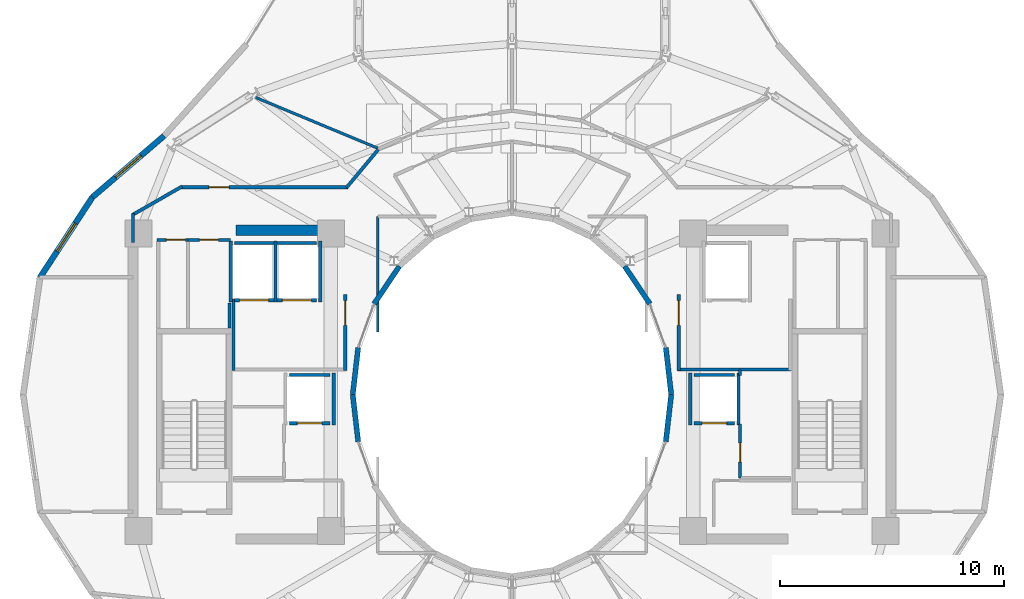
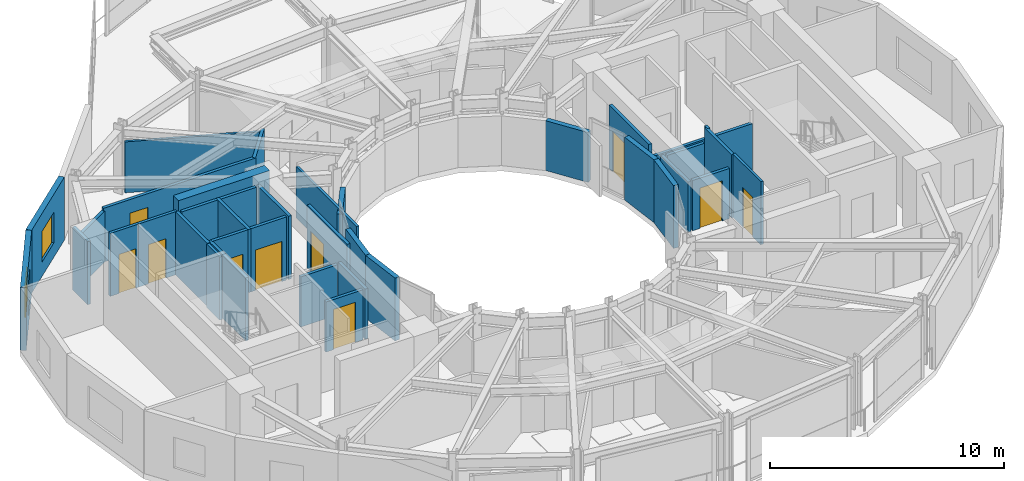
# One storey, part 19 of 24: 38 walls, 10 doors, 2 windows, 12 openings.
"""IFC4 building model written with IfcOpenShell, lengths in metres."""

from ifc_helpers import new_model, si_unit, direction, frame, frame_2d, origin, place, context, subcontext, project, spatial, rectangle, extrude, material, layer, layer_set, type_object, element, fill, save


model = new_model("IFC4")

# Units and contexts
model_context = context("Model", 3, precision=1e-05, world=origin(), true_north=direction((0.0, 1.0)))
body_context = subcontext(model_context, "Body", "Model", "MODEL_VIEW")
ifc_project = project(units=[si_unit("LENGTHUNIT", "METRE"), si_unit("AREAUNIT", "SQUARE_METRE"), si_unit("VOLUMEUNIT", "CUBIC_METRE"), si_unit("PLANEANGLEUNIT", "RADIAN"), si_unit("MASSUNIT", "GRAM", prefix="KILO")], contexts=[model_context])

# Site, building, storey
site_placement = place(None, origin())
site = spatial("IfcSite", under=ifc_project, at=site_placement, CompositionType="ELEMENT")
building_placement = place(site_placement, origin())
building = spatial("IfcBuilding", under=site, at=building_placement, Name="Solvane Sanctuary Tower", CompositionType="ELEMENT")
storey_placement = place(building_placement, frame((0.0, 0.0, 246.0)))
storey = spatial("IfcBuildingStorey", under=building, at=storey_placement, Name="L75", CompositionType="ELEMENT", Elevation=246.0)

# Walls
ifc_material_1 = material(Name="Concrete C50/60", Category="concrete")
ifc_layer_1 = layer(ifc_material_1, 0.449951171875, Name="Concrete C50/60")
ifc_layer_set_1 = layer_set([ifc_layer_1], Name="Concrete C50/60")
wall_type_1 = type_object("IfcWallType", Name="Wall W-CORE-450", PredefinedType="SHEAR", material=ifc_layer_set_1)
wall_1_placement = place(storey_placement, frame((19.64990234375, 30.35009765625, 0.0), z_axis=(0.0, 0.0, 1.0), x_axis=(1.0, 0.0, 0.0)))
element("IfcWall", 1, at=wall_1_placement, inside=storey, type_object=wall_type_1, Name="L75 Core Shear Wall WC-N", PredefinedType="SHEAR", context=body_context, shape_type="SweptSolid", body=[
    extrude(rectangle(XDim=4.5, YDim=0.449951171875, at=frame_2d((2.25, 0.0))), origin(), (0.0, 0.0, 1.0), 3.60009765625),
])
ifc_material_2 = material(Name="Acoustic Gypsum Partition Board")
ifc_layer_2 = layer(ifc_material_2, 0.14990234375, Name="Acoustic Gypsum Partition Board")
ifc_layer_set_2 = layer_set([ifc_layer_2], Name="Acoustic Gypsum Partition Board")
wall_type_2 = type_object("IfcWallType", Name="Wall W-CORR-150", PredefinedType="PARTITIONING", material=ifc_layer_set_2)
wall_2_placement = place(storey_placement, frame((19.550048828125, 24.080078125, 0.0), z_axis=(0.0, 0.0, 1.0), x_axis=(0.0, 1.0, 0.0)))
element("IfcWall", 2, at=wall_2_placement, inside=storey, type_object=wall_type_2, Name="L75 West Firefighting Lobby West Wall", PredefinedType="PARTITIONING", context=body_context, shape_type="SweptSolid", body=[
    extrude(rectangle(XDim=3.199951171875, YDim=0.14990234375, at=frame_2d((1.60009765625, 0.0))), origin(), (0.0, 0.0, 1.0), 3.294921875),
])

# Wall, opening, door
wall_3_placement = place(storey_placement, frame((24.550048828125, 24.080078125, 0.0), z_axis=(0.0, 0.0, 1.0), x_axis=(0.0, 1.0, 0.0)))
wall_3 = element("IfcWall", 3, at=wall_3_placement, inside=storey, type_object=wall_type_2, Name="L75 West Firefighting Lobby East Wall", PredefinedType="PARTITIONING", context=body_context, shape_type="SweptSolid", body=[
    extrude(rectangle(XDim=3.39990234375, YDim=0.14990234375, at=frame_2d((1.699951171875, 0.0))), origin(), (0.0, 0.0, 1.0), 3.294921875),
])
opening_1_placement = place(wall_3_placement, frame((2.02001953125, 0.0, 0.0)))
opening_1 = element("IfcOpeningElement", 4, at=opening_1_placement, cuts=wall_3, Name="Opening D-L75-03", PredefinedType="OPENING", context=body_context, shape_type="SweptSolid", body=[
    extrude(rectangle(XDim=1.10009765625, YDim=2.10009765625, at=frame_2d((0.550048828125, 1.050048828125))), frame((0.0, 0.0849609375, 0.0), z_axis=(0.0, -1.0, 0.0), x_axis=(1.0, 0.0, 0.0)), (0.0, 0.0, 1.0), 0.169921875),
])
ifc_material_3 = material(Name="Architectural Stainless Steel 316", Category="steel")
door_type_1 = type_object("IfcDoorType", Name="Door D-FFL", OperationType="NOTDEFINED", PredefinedType="DOOR", material=ifc_material_3)
door_1_placement = place(opening_1_placement, origin())
door_1 = element("IfcDoor", 5, at=door_1_placement, inside=storey, type_object=door_type_1, Name="L75 West Firefighting Lobby Fire Door", OperationType="SINGLE_SWING_RIGHT", OverallHeight=2.10009765625, OverallWidth=1.10009765625, PredefinedType="DOOR", context=body_context, shape_type="SweptSolid", body=[
    extrude(rectangle(XDim=1.10009765625, YDim=2.10009765625, at=frame_2d((0.550048828125, 1.050048828125))), frame((0.0, 0.02490234375, 0.0), z_axis=(0.0, -1.0, 0.0), x_axis=(1.0, 0.0, 0.0)), (0.0, 0.0, 1.0), 0.050048828125),
])
fill(opening_1, door_1)

# Wall
wall_4_placement = place(storey_placement, frame((39.39990234375, 24.1201171875, 0.0), z_axis=(0.0, 0.0, 1.0), x_axis=(1.0, 0.0, 0.0)))
element("IfcWall", 6, at=wall_4_placement, inside=storey, type_object=wall_type_2, Name="L75 East Firefighting Lobby South Wall", PredefinedType="PARTITIONING", context=body_context, shape_type="SweptSolid", body=[
    extrude(rectangle(XDim=5.080078125, YDim=0.14990234375, at=frame_2d((2.5400390625, 0.0))), origin(), (0.0, 0.0, 1.0), 2.6201171875),
])

# Wall, opening, door
wall_5_placement = place(storey_placement, frame((39.449951171875, 24.080078125, 0.0), z_axis=(0.0, 0.0, 1.0), x_axis=(0.0, 1.0, 0.0)))
wall_5 = element("IfcWall", 7, at=wall_5_placement, inside=storey, type_object=wall_type_2, Name="L75 East Firefighting Lobby West Wall", PredefinedType="PARTITIONING", context=body_context, shape_type="SweptSolid", body=[
    extrude(rectangle(XDim=3.39990234375, YDim=0.14990234375, at=frame_2d((1.699951171875, 0.0))), origin(), (0.0, 0.0, 1.0), 3.294921875),
])
opening_2_placement = place(wall_5_placement, frame((2.02001953125, 0.0, 0.0)))
opening_2 = element("IfcOpeningElement", 8, at=opening_2_placement, cuts=wall_5, Name="Opening D-L75-04", PredefinedType="OPENING", context=body_context, shape_type="SweptSolid", body=[
    extrude(rectangle(XDim=1.10009765625, YDim=2.10009765625, at=frame_2d((0.550048828125, 1.050048828125))), frame((0.0, 0.0849609375, 0.0), z_axis=(0.0, -1.0, 0.0), x_axis=(1.0, 0.0, 0.0)), (0.0, 0.0, 1.0), 0.169921875),
])
door_2_placement = place(opening_2_placement, origin())
door_2 = element("IfcDoor", 9, at=door_2_placement, inside=storey, type_object=door_type_1, Name="L75 East Firefighting Lobby Fire Door", OperationType="SINGLE_SWING_LEFT", OverallHeight=2.10009765625, OverallWidth=1.10009765625, PredefinedType="DOOR", context=body_context, shape_type="SweptSolid", body=[
    extrude(rectangle(XDim=1.10009765625, YDim=2.10009765625, at=frame_2d((0.550048828125, 1.050048828125))), frame((0.0, 0.02490234375, 0.0), z_axis=(0.0, -1.0, 0.0), x_axis=(1.0, 0.0, 0.0)), (0.0, 0.0, 1.0), 0.050048828125),
])
fill(opening_2, door_2)

# Walls
wall_6_placement = place(storey_placement, frame((15.050048828125, 29.800048828125, 0.0), z_axis=(0.0, 0.0, 1.0), x_axis=(0.0, 1.0, 0.0)))
element("IfcWall", 10, at=wall_6_placement, inside=storey, type_object=wall_type_2, Name="L75 NW Corner Closer 1", PredefinedType="PARTITIONING", context=body_context, shape_type="SweptSolid", body=[
    extrude(rectangle(XDim=1.2900390625, YDim=0.14990234375, at=frame_2d((0.64501953125, 0.0))), origin(), (0.0, 0.0, 1.0), 3.294921875),
])
wall_7_placement = place(storey_placement, frame((26.015869140625, 33.95458984375, 0.0), z_axis=(0.0, 0.0, 1.0), x_axis=(-0.64030392053, -0.76812166312, 0.0)))
element("IfcWall", 11, at=wall_7_placement, inside=storey, type_object=wall_type_2, Name="L75 NW Corner Throat Wall", PredefinedType="PARTITIONING", context=body_context, shape_type="SweptSolid", body=[
    extrude(rectangle(XDim=2.2099609375, YDim=0.14990234375, at=frame_2d((1.10498046875, 0.0))), origin(), (0.0, 0.0, 1.0), 2.81591796875),
])

# Wall, opening, door
wall_8_placement = place(storey_placement, frame((17.14990234375, 32.280029296875, 0.0), z_axis=(0.0, 0.0, 1.0), x_axis=(1.0, 0.0, 0.0)))
wall_8 = element("IfcWall", 12, at=wall_8_placement, inside=storey, type_object=wall_type_2, Name="L75 NW Corner Corridor Wall", PredefinedType="PARTITIONING", context=body_context, shape_type="SweptSolid", body=[
    extrude(rectangle(XDim=7.52001953125, YDim=0.14990234375, at=frame_2d((3.760009765625, 0.0))), origin(), (0.0, 0.0, 1.0), 2.81591796875),
])
opening_3_placement = place(wall_8_placement, frame((1.300048828125, 0.0, 0.0)))
opening_3 = element("IfcOpeningElement", 13, at=opening_3_placement, cuts=wall_8, Name="Opening D-L75-20", PredefinedType="OPENING", context=body_context, shape_type="SweptSolid", body=[
    extrude(rectangle(XDim=0.89990234375, YDim=2.10009765625, at=frame_2d((0.449951171875, 1.050048828125))), frame((0.0, 0.0849609375, 0.0), z_axis=(0.0, -1.0, 0.0), x_axis=(1.0, 0.0, 0.0)), (0.0, 0.0, 1.0), 0.169921875),
])
ifc_material_4 = material(Name="Engineered Tropical Hardwood", Category="wood")
door_type_2 = type_object("IfcDoorType", Name="Door D-WET-900", OperationType="NOTDEFINED", PredefinedType="DOOR", material=ifc_material_4)
door_3_placement = place(opening_3_placement, origin())
door_3 = element("IfcDoor", 14, at=door_3_placement, inside=storey, type_object=door_type_2, Name="L75 NW Corner Salon Door", OperationType="SINGLE_SWING_LEFT", OverallHeight=2.10009765625, OverallWidth=0.89990234375, PredefinedType="DOOR", context=body_context, shape_type="SweptSolid", body=[
    extrude(rectangle(XDim=0.89990234375, YDim=2.10009765625, at=frame_2d((0.449951171875, 1.050048828125))), frame((0.0, 0.02490234375, 0.0), z_axis=(0.0, -1.0, 0.0), x_axis=(1.0, 0.0, 0.0)), (0.0, 0.0, 1.0), 0.050048828125),
])
fill(opening_3, door_3)

# Wall
wall_9_placement = place(storey_placement, frame((17.243408203125, 32.3046875, 0.0), z_axis=(0.0, 0.0, 1.0), x_axis=(-0.867991349648, -0.496579315857, 0.0)))
element("IfcWall", 15, at=wall_9_placement, inside=storey, type_object=wall_type_2, Name="L75 NW Corner Wing Wall", PredefinedType="PARTITIONING", context=body_context, shape_type="SweptSolid", body=[
    extrude(rectangle(XDim=2.56689453125, YDim=0.14990234375, at=frame_2d((1.283447265625, 0.0))), origin(), (0.0, 0.0, 1.0), 2.659912109375),
])

# Wall, opening, window
ifc_material_5 = material(Name="Precast concrete C40/50", Category="concrete")
ifc_layer_3 = layer(ifc_material_5, 0.260009765625, Name="Precast concrete C40/50")
ifc_layer_set_3 = layer_set([ifc_layer_3], Name="Precast concrete C40/50")
wall_type_3 = type_object("IfcWallType", Name="Wall W-EXT-250", PredefinedType="STANDARD", material=ifc_layer_set_3)
wall_10_placement = place(storey_placement, frame((16.4423828125, 34.572265625, 0.0), z_axis=(0.0, 0.0, 1.0), x_axis=(-0.759587504333, -0.650405122413, 0.0)))
wall_10 = element("IfcWall", 16, at=wall_10_placement, inside=storey, type_object=wall_type_3, Name="L75 Ceramic-Printed Facade Wall 09", PredefinedType="STANDARD", context=body_context, shape_type="SweptSolid", body=[
    extrude(rectangle(XDim=4.21728515625, YDim=0.260009765625, at=frame_2d((2.108642578125, 0.0))), origin(), (0.0, 0.0, 1.0), 3.2900390625),
])
opening_4_placement = place(wall_10_placement, frame((1.358642578125, 0.0, 0.75)))
opening_4 = element("IfcOpeningElement", 17, at=opening_4_placement, cuts=wall_10, Name="Opening WN-OPER-1500", PredefinedType="OPENING", context=body_context, shape_type="SweptSolid", body=[
    extrude(rectangle(XDim=1.5, YDim=1.60009765625, at=frame_2d((0.75, 0.800048828125))), frame((0.0, 0.139892578125, 0.0), z_axis=(0.0, -1.0, 0.0), x_axis=(1.0, 0.0, 0.0)), (0.0, 0.0, 1.0), 0.280029296875),
])
ifc_material_6 = material(Name="Dark Ceramic-Fritted Low-E Glass", Category="glass")
window_type = type_object("IfcWindowType", Name="Window WN-OPER-1500", PartitioningType="SINGLE_PANEL", PredefinedType="WINDOW", material=ifc_material_6)
window_1_placement = place(opening_4_placement, origin())
window_1 = element("IfcWindow", 18, at=window_1_placement, inside=storey, type_object=window_type, Name="L75 Operable Facade Window 09", OverallHeight=1.60009765625, OverallWidth=1.5, PartitioningType="SINGLE_PANEL", PredefinedType="WINDOW", context=body_context, shape_type="SweptSolid", body=[
    extrude(rectangle(XDim=1.5, YDim=1.60009765625, at=frame_2d((0.75, 0.800048828125))), frame((0.0, 0.030029296875, 0.0), z_axis=(0.0, -1.0, 0.0), x_axis=(1.0, 0.0, 0.0)), (0.0, 0.0, 1.0), 0.06005859375),
])
fill(opening_4, window_1)

wall_11_placement = place(storey_placement, frame((13.239013671875, 31.829345703125, 0.0), z_axis=(0.0, 0.0, 1.0), x_axis=(-0.546606419826, -0.837389647539, 0.0)))
wall_11 = element("IfcWall", 19, at=wall_11_placement, inside=storey, type_object=wall_type_3, Name="L75 Ceramic-Printed Facade Wall 10", PredefinedType="STANDARD", context=body_context, shape_type="SweptSolid", body=[
    extrude(rectangle(XDim=4.287841796875, YDim=0.260009765625, at=frame_2d((2.14404296875, 0.0))), origin(), (0.0, 0.0, 1.0), 3.2900390625),
])
opening_5_placement = place(wall_11_placement, frame((1.393798828125, 0.0, 0.75)))
opening_5 = element("IfcOpeningElement", 20, at=opening_5_placement, cuts=wall_11, Name="Opening WN-OPER-1500", PredefinedType="OPENING", context=body_context, shape_type="SweptSolid", body=[
    extrude(rectangle(XDim=1.5, YDim=1.60009765625, at=frame_2d((0.75, 0.800048828125))), frame((0.0, 0.139892578125, 0.0), z_axis=(0.0, -1.0, 0.0), x_axis=(1.0, 0.0, 0.0)), (0.0, 0.0, 1.0), 0.280029296875),
])
window_2_placement = place(opening_5_placement, origin())
window_2 = element("IfcWindow", 21, at=window_2_placement, inside=storey, type_object=window_type, Name="L75 Operable Facade Window 10", OverallHeight=1.60009765625, OverallWidth=1.5, PartitioningType="SINGLE_PANEL", PredefinedType="WINDOW", context=body_context, shape_type="SweptSolid", body=[
    extrude(rectangle(XDim=1.5, YDim=1.60009765625, at=frame_2d((0.75, 0.800048828125))), frame((0.0, 0.030029296875, 0.0), z_axis=(0.0, -1.0, 0.0), x_axis=(1.0, 0.0, 0.0)), (0.0, 0.0, 1.0), 0.06005859375),
])
fill(opening_5, window_2)

# Walls
ifc_layer_4 = layer(ifc_material_5, 0.22998046875, Name="Precast concrete C40/50")
ifc_layer_set_4 = layer_set([ifc_layer_4], Name="Precast concrete C40/50")
wall_type_4 = type_object("IfcWallType", Name="Wall W-EXT-SP220", PredefinedType="STANDARD", material=ifc_layer_set_4)
wall_12_placement = place(storey_placement, frame((39.1201171875, 23.0, 0.0), z_axis=(0.0, 0.0, 1.0), x_axis=(-0.114711713601, 0.993398823617, 0.0)))
element("IfcWall", 22, at=wall_12_placement, inside=storey, type_object=wall_type_4, Name="L75 Central Light-Well Wall 00", PredefinedType="STANDARD", context=body_context, shape_type="SweptSolid", body=[
    extrude(rectangle(XDim=2.115478515625, YDim=0.22998046875, at=frame_2d((1.0576171875, 0.0))), origin(), (0.0, 0.0, 1.0), 3.280029296875),
])
for number, where, z_axis, x_axis, name in (
    (23, (38.166015625, 27.06005859375, 0.0), (0.0, 0.0, 1.0), (-0.558197800898, 0.829707909492, 0.0), "L75 Central Light-Well Wall 02"),
    (24, (26.96533203125, 28.74169921875, 0.0), (0.0, 0.0, 1.0), (-0.558197800898, -0.829707909492, 0.0), "L75 Central Light-Well Wall 09"),
):
    element("IfcWall", number, at=place(storey_placement, frame(where, z_axis=z_axis, x_axis=x_axis)), inside=storey, type_object=wall_type_4, Name=name, PredefinedType="STANDARD", context=body_context, shape_type="SweptSolid", body=[
        extrude(rectangle(XDim=2.02685546875, YDim=0.22998046875, at=frame_2d((1.013427734375, 0.0))), origin(), (0.0, 0.0, 1.0), 2.60009765625),
    ])
for number, where, z_axis, x_axis, name in (
    (25, (25.12255859375, 25.1015625, 0.0), (0.0, 0.0, 1.0), (-0.114711713601, -0.993398823617, 0.0), "L75 Central Light-Well Wall 11"),
    (26, (24.8798828125, 23.0, 0.0), (0.0, 0.0, 1.0), (0.114711713601, -0.993398823617, 0.0), "L75 Central Light-Well Wall 12"),
    (27, (38.87744140625, 20.8984375, 0.0), (0.0, 0.0, 1.0), (0.114711713601, 0.993398823617, 0.0), "L75 Central Light-Well Wall 23"),
):
    element("IfcWall", number, at=place(storey_placement, frame(where, z_axis=z_axis, x_axis=x_axis)), inside=storey, type_object=wall_type_4, Name=name, PredefinedType="STANDARD", context=body_context, shape_type="SweptSolid", body=[
        extrude(rectangle(XDim=2.115478515625, YDim=0.22998046875, at=frame_2d((1.0576171875, 0.0))), origin(), (0.0, 0.0, 1.0), 3.280029296875),
    ])
ifc_layer_5 = layer(ifc_material_2, 0.1201171875, Name="Acoustic Gypsum Partition Board")
ifc_layer_set_5 = layer_set([ifc_layer_5], Name="Acoustic Gypsum Partition Board")
wall_type_5 = type_object("IfcWallType", Name="Wall W-MOV-100", PredefinedType="MOVABLE", material=ifc_layer_set_5)
wall_13_placement = place(storey_placement, frame((26.000244140625, 34.017822265625, 0.0), z_axis=(0.0, 0.0, 1.0), x_axis=(-0.92349333748, 0.383614462228, 0.0)))
element("IfcWall", 28, at=wall_13_placement, inside=storey, type_object=wall_type_5, Name="L75 Sky Hall Radial Partition 120", PredefinedType="MOVABLE", context=body_context, shape_type="SweptSolid", body=[
    extrude(rectangle(XDim=5.9072265625, YDim=0.1201171875, at=frame_2d((2.95361328125, 0.0))), origin(), (0.0, 0.0, 1.0), 2.659912109375),
])

# Wall, opening, door
ifc_layer_6 = layer(ifc_material_2, 0.125, Name="Acoustic Gypsum Partition Board")
ifc_layer_set_6 = layer_set([ifc_layer_6], Name="Acoustic Gypsum Partition Board")
wall_type_6 = type_object("IfcWallType", Name="Wall W-PART-125", PredefinedType="PARTITIONING", material=ifc_layer_set_6)
wall_14_placement = place(storey_placement, frame((42.199951171875, 19.280029296875, 0.0), z_axis=(0.0, 0.0, 1.0), x_axis=(0.0, 1.0, 0.0)))
wall_14 = element("IfcWall", 29, at=wall_14_placement, inside=storey, type_object=wall_type_6, Name="L75 Reclaimed Room Partition PME", PredefinedType="PARTITIONING", context=body_context, shape_type="SweptSolid", body=[
    extrude(rectangle(XDim=2.39990234375, YDim=0.125, at=frame_2d((1.199951171875, 0.0))), origin(), (0.0, 0.0, 1.0), 3.294921875),
])
opening_6_placement = place(wall_14_placement, frame((0.699951171875, 0.0, 0.0)))
opening_6 = element("IfcOpeningElement", 30, at=opening_6_placement, cuts=wall_14, Name="Opening D-L75-08", PredefinedType="OPENING", context=body_context, shape_type="SweptSolid", body=[
    extrude(rectangle(XDim=0.85009765625, YDim=2.050048828125, at=frame_2d((0.425048828125, 1.02490234375))), frame((0.0, 0.072509765625, 0.0), z_axis=(0.0, -1.0, 0.0), x_axis=(1.0, 0.0, 0.0)), (0.0, 0.0, 1.0), 0.14501953125),
])
door_type_3 = type_object("IfcDoorType", Name="Door D-RISER", OperationType="NOTDEFINED", PredefinedType="DOOR", material=ifc_material_3)
door_4_placement = place(opening_6_placement, origin())
door_4 = element("IfcDoor", 31, at=door_4_placement, inside=storey, type_object=door_type_3, Name="L75 Reclaimed Room Door PME-1", OperationType="SINGLE_SWING_LEFT", OverallHeight=2.050048828125, OverallWidth=0.85009765625, PredefinedType="DOOR", context=body_context, shape_type="SweptSolid", body=[
    extrude(rectangle(XDim=0.85009765625, YDim=2.050048828125, at=frame_2d((0.425048828125, 1.02490234375))), frame((0.0, 0.02490234375, 0.0), z_axis=(0.0, -1.0, 0.0), x_axis=(1.0, 0.0, 0.0)), (0.0, 0.0, 1.0), 0.050048828125),
])
fill(opening_6, door_4)

# Walls
wall_15_placement = place(storey_placement, frame((42.199951171875, 23.85009765625, 0.0), z_axis=(0.0, 0.0, 1.0), x_axis=(0.0, 1.0, 0.0)))
element("IfcWall", 32, at=wall_15_placement, inside=storey, type_object=wall_type_6, Name="L75 Reclaimed Room Dividing Wall PME", PredefinedType="PARTITIONING", context=body_context, shape_type="SweptSolid", body=[
    extrude(rectangle(XDim=0.25, YDim=0.125, at=frame_2d((0.125, 0.0))), origin(), (0.0, 0.0, 1.0), 3.294921875),
])
wall_16_placement = place(storey_placement, frame((26.0, 25.800048828125, 0.0), z_axis=(0.0, 0.0, 1.0), x_axis=(0.0, 1.0, 0.0)))
element("IfcWall", 33, at=wall_16_placement, inside=storey, type_object=wall_type_6, Name="L75 Bridge Alcove Wall 1", PredefinedType="PARTITIONING", context=body_context, shape_type="SweptSolid", body=[
    extrude(rectangle(XDim=5.159912109375, YDim=0.125, at=frame_2d((2.580078125, 0.0))), origin(), (0.0, 0.0, 1.0), 2.672119140625),
])

# Wall, opening, door
ifc_layer_7 = layer(ifc_material_1, 0.14990234375, Name="Concrete C50/60")
ifc_layer_set_7 = layer_set([ifc_layer_7], Name="Concrete C50/60")
wall_type_7 = type_object("IfcWallType", Name="Wall W-SHAFT-150", PredefinedType="SOLIDWALL", material=ifc_layer_set_7)
wall_17_placement = place(storey_placement, frame((22.0400390625, 21.719970703125, 0.0), z_axis=(0.0, 0.0, 1.0), x_axis=(1.0, 0.0, 0.0)))
wall_17 = element("IfcWall", 34, at=wall_17_placement, inside=storey, type_object=wall_type_7, Name="L75 PH-1 Lift Shaft Wall F", PredefinedType="SOLIDWALL", context=body_context, shape_type="SweptSolid", body=[
    extrude(rectangle(XDim=1.820068359375, YDim=0.14990234375, at=frame_2d((0.91015625, 0.0))), origin(), (0.0, 0.0, 1.0), 2.6201171875),
])
opening_7_placement = place(wall_17_placement, frame((0.360107421875, 0.0, 0.0)))
opening_7 = element("IfcOpeningElement", 35, at=opening_7_placement, cuts=wall_17, Name="Opening LD-L75-01", PredefinedType="OPENING", context=body_context, shape_type="SweptSolid", body=[
    extrude(rectangle(XDim=1.10009765625, YDim=2.10009765625, at=frame_2d((0.550048828125, 1.050048828125))), frame((0.0, 0.0849609375, 0.0), z_axis=(0.0, -1.0, 0.0), x_axis=(1.0, 0.0, 0.0)), (0.0, 0.0, 1.0), 0.169921875),
])
door_type_4 = type_object("IfcDoorType", Name="Door LD-PASS-1100", OperationType="NOTDEFINED", PredefinedType="DOOR", material=ifc_material_3)
door_5_placement = place(opening_7_placement, origin())
door_5 = element("IfcDoor", 36, at=door_5_placement, inside=storey, type_object=door_type_4, Name="L75 PH-1 Lift Landing Door", OperationType="DOUBLE_DOOR_SLIDING", OverallHeight=2.10009765625, OverallWidth=1.10009765625, PredefinedType="DOOR", context=body_context, shape_type="SweptSolid", body=[
    extrude(rectangle(XDim=1.10009765625, YDim=2.10009765625, at=frame_2d((0.550048828125, 1.050048828125))), frame((0.0, 0.02490234375, 0.0), z_axis=(0.0, -1.0, 0.0), x_axis=(1.0, 0.0, 0.0)), (0.0, 0.0, 1.0), 0.050048828125),
])
fill(opening_7, door_5)

# Walls
wall_18_placement = place(storey_placement, frame((22.0400390625, 23.8798828125, 0.0), z_axis=(0.0, 0.0, 1.0), x_axis=(1.0, 0.0, 0.0)))
element("IfcWall", 37, at=wall_18_placement, inside=storey, type_object=wall_type_7, Name="L75 PH-1 Lift Shaft Wall B", PredefinedType="SOLIDWALL", context=body_context, shape_type="SweptSolid", body=[
    extrude(rectangle(XDim=1.820068359375, YDim=0.14990234375, at=frame_2d((0.91015625, 0.0))), origin(), (0.0, 0.0, 1.0), 2.6201171875),
])
wall_19_placement = place(storey_placement, frame((24.030029296875, 21.639892578125, 0.0), z_axis=(0.0, 0.0, 1.0), x_axis=(0.0, 1.0, 0.0)))
element("IfcWall", 38, at=wall_19_placement, inside=storey, type_object=wall_type_7, Name="L75 PH-1 Lift Shaft Wall S2", PredefinedType="SOLIDWALL", context=body_context, shape_type="SweptSolid", body=[
    extrude(rectangle(XDim=2.320068359375, YDim=0.14990234375, at=frame_2d((1.16015625, 0.0))), origin(), (0.0, 0.0, 1.0), 2.6201171875),
])

# Wall, opening, door
wall_20_placement = place(storey_placement, frame((40.139892578125, 21.719970703125, 0.0), z_axis=(0.0, 0.0, 1.0), x_axis=(1.0, 0.0, 0.0)))
wall_20 = element("IfcWall", 39, at=wall_20_placement, inside=storey, type_object=wall_type_7, Name="L75 PH-2 Lift Shaft Wall F", PredefinedType="SOLIDWALL", context=body_context, shape_type="SweptSolid", body=[
    extrude(rectangle(XDim=1.820068359375, YDim=0.14990234375, at=frame_2d((0.91015625, 0.0))), origin(), (0.0, 0.0, 1.0), 2.6201171875),
])
opening_8_placement = place(wall_20_placement, frame((0.360107421875, 0.0, 0.0)))
opening_8 = element("IfcOpeningElement", 40, at=opening_8_placement, cuts=wall_20, Name="Opening LD-L75-02", PredefinedType="OPENING", context=body_context, shape_type="SweptSolid", body=[
    extrude(rectangle(XDim=1.10009765625, YDim=2.10009765625, at=frame_2d((0.550048828125, 1.050048828125))), frame((0.0, 0.0849609375, 0.0), z_axis=(0.0, -1.0, 0.0), x_axis=(1.0, 0.0, 0.0)), (0.0, 0.0, 1.0), 0.169921875),
])
door_6_placement = place(opening_8_placement, origin())
door_6 = element("IfcDoor", 41, at=door_6_placement, inside=storey, type_object=door_type_4, Name="L75 PH-2 Lift Landing Door", OperationType="DOUBLE_DOOR_SLIDING", OverallHeight=2.10009765625, OverallWidth=1.10009765625, PredefinedType="DOOR", context=body_context, shape_type="SweptSolid", body=[
    extrude(rectangle(XDim=1.10009765625, YDim=2.10009765625, at=frame_2d((0.550048828125, 1.050048828125))), frame((0.0, 0.02490234375, 0.0), z_axis=(0.0, -1.0, 0.0), x_axis=(1.0, 0.0, 0.0)), (0.0, 0.0, 1.0), 0.050048828125),
])
fill(opening_8, door_6)

# Walls
wall_21_placement = place(storey_placement, frame((40.139892578125, 23.8798828125, 0.0), z_axis=(0.0, 0.0, 1.0), x_axis=(1.0, 0.0, 0.0)))
element("IfcWall", 42, at=wall_21_placement, inside=storey, type_object=wall_type_7, Name="L75 PH-2 Lift Shaft Wall B", PredefinedType="SOLIDWALL", context=body_context, shape_type="SweptSolid", body=[
    extrude(rectangle(XDim=1.820068359375, YDim=0.14990234375, at=frame_2d((0.91015625, 0.0))), origin(), (0.0, 0.0, 1.0), 2.6201171875),
])
wall_22_placement = place(storey_placement, frame((39.969970703125, 21.639892578125, 0.0), z_axis=(0.0, 0.0, 1.0), x_axis=(0.0, 1.0, 0.0)))
element("IfcWall", 43, at=wall_22_placement, inside=storey, type_object=wall_type_7, Name="L75 PH-2 Lift Shaft Wall S1", PredefinedType="SOLIDWALL", context=body_context, shape_type="SweptSolid", body=[
    extrude(rectangle(XDim=2.320068359375, YDim=0.14990234375, at=frame_2d((1.16015625, 0.0))), origin(), (0.0, 0.0, 1.0), 2.6201171875),
])
wall_23_placement = place(storey_placement, frame((42.1298828125, 21.639892578125, 0.0), z_axis=(0.0, 0.0, 1.0), x_axis=(0.0, 1.0, 0.0)))
element("IfcWall", 44, at=wall_23_placement, inside=storey, type_object=wall_type_7, Name="L75 PH-2 Lift Shaft Wall S2", PredefinedType="SOLIDWALL", context=body_context, shape_type="SweptSolid", body=[
    extrude(rectangle(XDim=2.320068359375, YDim=0.14990234375, at=frame_2d((1.16015625, 0.0))), origin(), (0.0, 0.0, 1.0), 3.294921875),
])

# Wall, opening, door
wall_24_placement = place(storey_placement, frame((19.590087890625, 27.219970703125, 0.0), z_axis=(0.0, 0.0, 1.0), x_axis=(1.0, 0.0, 0.0)))
wall_24 = element("IfcWall", 45, at=wall_24_placement, inside=storey, type_object=wall_type_7, Name="L75 FFL-1 Lift Shaft Wall F", PredefinedType="SOLIDWALL", context=body_context, shape_type="SweptSolid", body=[
    extrude(rectangle(XDim=1.760009765625, YDim=0.14990234375, at=frame_2d((0.8798828125, 0.0))), origin(), (0.0, 0.0, 1.0), 3.294921875),
])
opening_9_placement = place(wall_24_placement, frame((0.22998046875, 0.0, 0.0)))
opening_9 = element("IfcOpeningElement", 46, at=opening_9_placement, cuts=wall_24, Name="Opening LD-L75-03", PredefinedType="OPENING", context=body_context, shape_type="SweptSolid", body=[
    extrude(rectangle(XDim=1.300048828125, YDim=2.10009765625, at=frame_2d((0.64990234375, 1.050048828125))), frame((0.0, 0.0849609375, 0.0), z_axis=(0.0, -1.0, 0.0), x_axis=(1.0, 0.0, 0.0)), (0.0, 0.0, 1.0), 0.169921875),
])
door_type_5 = type_object("IfcDoorType", Name="Door LD-FFL-1300", OperationType="NOTDEFINED", PredefinedType="DOOR", material=ifc_material_3)
door_7_placement = place(opening_9_placement, origin())
door_7 = element("IfcDoor", 47, at=door_7_placement, inside=storey, type_object=door_type_5, Name="L75 FFL-1 Lift Landing Door", OperationType="DOUBLE_DOOR_SLIDING", OverallHeight=2.10009765625, OverallWidth=1.300048828125, PredefinedType="DOOR", context=body_context, shape_type="SweptSolid", body=[
    extrude(rectangle(XDim=1.300048828125, YDim=2.10009765625, at=frame_2d((0.64990234375, 1.050048828125))), frame((0.0, 0.02490234375, 0.0), z_axis=(0.0, -1.0, 0.0), x_axis=(1.0, 0.0, 0.0)), (0.0, 0.0, 1.0), 0.050048828125),
])
fill(opening_9, door_7)

# Walls
wall_25_placement = place(storey_placement, frame((19.590087890625, 29.780029296875, 0.0), z_axis=(0.0, 0.0, 1.0), x_axis=(1.0, 0.0, 0.0)))
element("IfcWall", 48, at=wall_25_placement, inside=storey, type_object=wall_type_7, Name="L75 FFL-1 Lift Shaft Wall B", PredefinedType="SOLIDWALL", context=body_context, shape_type="SweptSolid", body=[
    extrude(rectangle(XDim=1.760009765625, YDim=0.14990234375, at=frame_2d((0.8798828125, 0.0))), origin(), (0.0, 0.0, 1.0), 3.294921875),
])
for number, where, z_axis, x_axis, name in (
    (49, (19.419921875, 27.139892578125, 0.0), (0.0, 0.0, 1.0), (0.0, 1.0, 0.0), "L75 FFL-1 Lift Shaft Wall S1"),
    (50, (21.425048828125, 27.139892578125, 0.0), (0.0, 0.0, 1.0), (0.0, 1.0, 0.0), "L75 FFL-1 Lift Shaft Wall S2"),
):
    element("IfcWall", number, at=place(storey_placement, frame(where, z_axis=z_axis, x_axis=x_axis)), inside=storey, type_object=wall_type_7, Name=name, PredefinedType="SOLIDWALL", context=body_context, shape_type="SweptSolid", body=[
        extrude(rectangle(XDim=2.72021484375, YDim=0.14990234375, at=frame_2d((1.360107421875, 0.0))), origin(), (0.0, 0.0, 1.0), 3.294921875),
    ])

# Wall, opening, door
wall_26_placement = place(storey_placement, frame((21.5, 27.219970703125, 0.0), z_axis=(0.0, 0.0, 1.0), x_axis=(1.0, 0.0, 0.0)))
wall_26 = element("IfcWall", 51, at=wall_26_placement, inside=storey, type_object=wall_type_7, Name="L75 SVL-1 Lift Shaft Wall F", PredefinedType="SOLIDWALL", context=body_context, shape_type="SweptSolid", body=[
    extrude(rectangle(XDim=1.760009765625, YDim=0.14990234375, at=frame_2d((0.8798828125, 0.0))), origin(), (0.0, 0.0, 1.0), 3.294921875),
])
opening_10_placement = place(wall_26_placement, frame((0.22998046875, 0.0, 0.0)))
opening_10 = element("IfcOpeningElement", 52, at=opening_10_placement, cuts=wall_26, Name="Opening LD-L75-04", PredefinedType="OPENING", context=body_context, shape_type="SweptSolid", body=[
    extrude(rectangle(XDim=1.300048828125, YDim=2.10009765625, at=frame_2d((0.64990234375, 1.050048828125))), frame((0.0, 0.0849609375, 0.0), z_axis=(0.0, -1.0, 0.0), x_axis=(1.0, 0.0, 0.0)), (0.0, 0.0, 1.0), 0.169921875),
])
door_8_placement = place(opening_10_placement, origin())
door_8 = element("IfcDoor", 53, at=door_8_placement, inside=storey, type_object=door_type_5, Name="L75 SVL-1 Lift Landing Door", OperationType="DOUBLE_DOOR_SLIDING", OverallHeight=2.10009765625, OverallWidth=1.300048828125, PredefinedType="DOOR", context=body_context, shape_type="SweptSolid", body=[
    extrude(rectangle(XDim=1.300048828125, YDim=2.10009765625, at=frame_2d((0.64990234375, 1.050048828125))), frame((0.0, 0.02490234375, 0.0), z_axis=(0.0, -1.0, 0.0), x_axis=(1.0, 0.0, 0.0)), (0.0, 0.0, 1.0), 0.050048828125),
])
fill(opening_10, door_8)

# Walls
wall_27_placement = place(storey_placement, frame((21.5, 29.780029296875, 0.0), z_axis=(0.0, 0.0, 1.0), x_axis=(1.0, 0.0, 0.0)))
element("IfcWall", 54, at=wall_27_placement, inside=storey, type_object=wall_type_7, Name="L75 SVL-1 Lift Shaft Wall B", PredefinedType="SOLIDWALL", context=body_context, shape_type="SweptSolid", body=[
    extrude(rectangle(XDim=1.760009765625, YDim=0.14990234375, at=frame_2d((0.8798828125, 0.0))), origin(), (0.0, 0.0, 1.0), 3.294921875),
])
wall_28_placement = place(storey_placement, frame((23.429931640625, 27.139892578125, 0.0), z_axis=(0.0, 0.0, 1.0), x_axis=(0.0, 1.0, 0.0)))
element("IfcWall", 55, at=wall_28_placement, inside=storey, type_object=wall_type_7, Name="L75 SVL-1 Lift Shaft Wall S2", PredefinedType="SOLIDWALL", context=body_context, shape_type="SweptSolid", body=[
    extrude(rectangle(XDim=2.72021484375, YDim=0.14990234375, at=frame_2d((1.360107421875, 0.0))), origin(), (0.0, 0.0, 1.0), 3.294921875),
])

# Wall, opening, door
ifc_layer_8 = layer(ifc_material_2, 0.139892578125, Name="Acoustic Gypsum Partition Board")
ifc_layer_set_8 = layer_set([ifc_layer_8], Name="Acoustic Gypsum Partition Board")
wall_type_8 = type_object("IfcWallType", Name="Wall W-WET-140", PredefinedType="PLUMBINGWALL", material=ifc_layer_set_8)
wall_29_placement = place(storey_placement, frame((16.1201171875, 29.919921875, 0.0), z_axis=(0.0, 0.0, 1.0), x_axis=(1.0, 0.0, 0.0)))
wall_29 = element("IfcWall", 56, at=wall_29_placement, inside=storey, type_object=wall_type_8, Name="L75 Core Service Front Wall KW1", PredefinedType="PLUMBINGWALL", context=body_context, shape_type="SweptSolid", body=[
    extrude(rectangle(XDim=1.39990234375, YDim=0.139892578125, at=frame_2d((0.699951171875, 0.0))), origin(), (0.0, 0.0, 1.0), 3.294921875),
])
opening_11_placement = place(wall_29_placement, frame((0.429931640625, 0.0, 0.0)))
opening_11 = element("IfcOpeningElement", 57, at=opening_11_placement, cuts=wall_29, Name="Opening D-L75-09", PredefinedType="OPENING", context=body_context, shape_type="SweptSolid", body=[
    extrude(rectangle(XDim=0.85009765625, YDim=2.050048828125, at=frame_2d((0.425048828125, 1.02490234375))), frame((0.0, 0.079833984375, 0.0), z_axis=(0.0, -1.0, 0.0), x_axis=(1.0, 0.0, 0.0)), (0.0, 0.0, 1.0), 0.159912109375),
])
door_9_placement = place(opening_11_placement, origin())
door_9 = element("IfcDoor", 58, at=door_9_placement, inside=storey, type_object=door_type_3, Name="L75 Core Service Room Door KW1-1", OperationType="SINGLE_SWING_RIGHT", OverallHeight=2.050048828125, OverallWidth=0.85009765625, PredefinedType="DOOR", context=body_context, shape_type="SweptSolid", body=[
    extrude(rectangle(XDim=0.85009765625, YDim=2.050048828125, at=frame_2d((0.425048828125, 1.02490234375))), frame((0.0, 0.02490234375, 0.0), z_axis=(0.0, -1.0, 0.0), x_axis=(1.0, 0.0, 0.0)), (0.0, 0.0, 1.0), 0.050048828125),
])
fill(opening_11, door_9)

wall_30_placement = place(storey_placement, frame((17.52001953125, 29.919921875, 0.0), z_axis=(0.0, 0.0, 1.0), x_axis=(1.0, 0.0, 0.0)))
wall_30 = element("IfcWall", 59, at=wall_30_placement, inside=storey, type_object=wall_type_8, Name="L75 Core Service Front Wall KW2", PredefinedType="PLUMBINGWALL", context=body_context, shape_type="SweptSolid", body=[
    extrude(rectangle(XDim=1.89990234375, YDim=0.139892578125, at=frame_2d((0.949951171875, 0.0))), origin(), (0.0, 0.0, 1.0), 3.294921875),
])
opening_12_placement = place(wall_30_placement, frame((0.5, 0.0, 0.0)))
opening_12 = element("IfcOpeningElement", 60, at=opening_12_placement, cuts=wall_30, Name="Opening D-L75-10", PredefinedType="OPENING", context=body_context, shape_type="SweptSolid", body=[
    extrude(rectangle(XDim=0.85009765625, YDim=2.050048828125, at=frame_2d((0.425048828125, 1.02490234375))), frame((0.0, 0.079833984375, 0.0), z_axis=(0.0, -1.0, 0.0), x_axis=(1.0, 0.0, 0.0)), (0.0, 0.0, 1.0), 0.159912109375),
])
door_10_placement = place(opening_12_placement, origin())
door_10 = element("IfcDoor", 61, at=door_10_placement, inside=storey, type_object=door_type_3, Name="L75 Core Service Room Door KW2-1", OperationType="SINGLE_SWING_LEFT", OverallHeight=2.050048828125, OverallWidth=0.85009765625, PredefinedType="DOOR", context=body_context, shape_type="SweptSolid", body=[
    extrude(rectangle(XDim=0.85009765625, YDim=2.050048828125, at=frame_2d((0.425048828125, 1.02490234375))), frame((0.0, 0.02490234375, 0.0), z_axis=(0.0, -1.0, 0.0), x_axis=(1.0, 0.0, 0.0)), (0.0, 0.0, 1.0), 0.050048828125),
])
fill(opening_12, door_10)

# Wall
wall_31_placement = place(storey_placement, frame((19.360107421875, 25.97998046875, 0.0), z_axis=(0.0, 0.0, 1.0), x_axis=(0.0, 1.0, 0.0)))
element("IfcWall", 62, at=wall_31_placement, inside=storey, type_object=wall_type_8, Name="L75 Core Service Side Wall KW2-1", PredefinedType="PLUMBINGWALL", context=body_context, shape_type="SweptSolid", body=[
    extrude(rectangle(XDim=1.1201171875, YDim=0.139892578125, at=frame_2d((0.56005859375, 0.0))), origin(), (0.0, 0.0, 1.0), 3.294921875),
])

save(model, "model.ifc")
